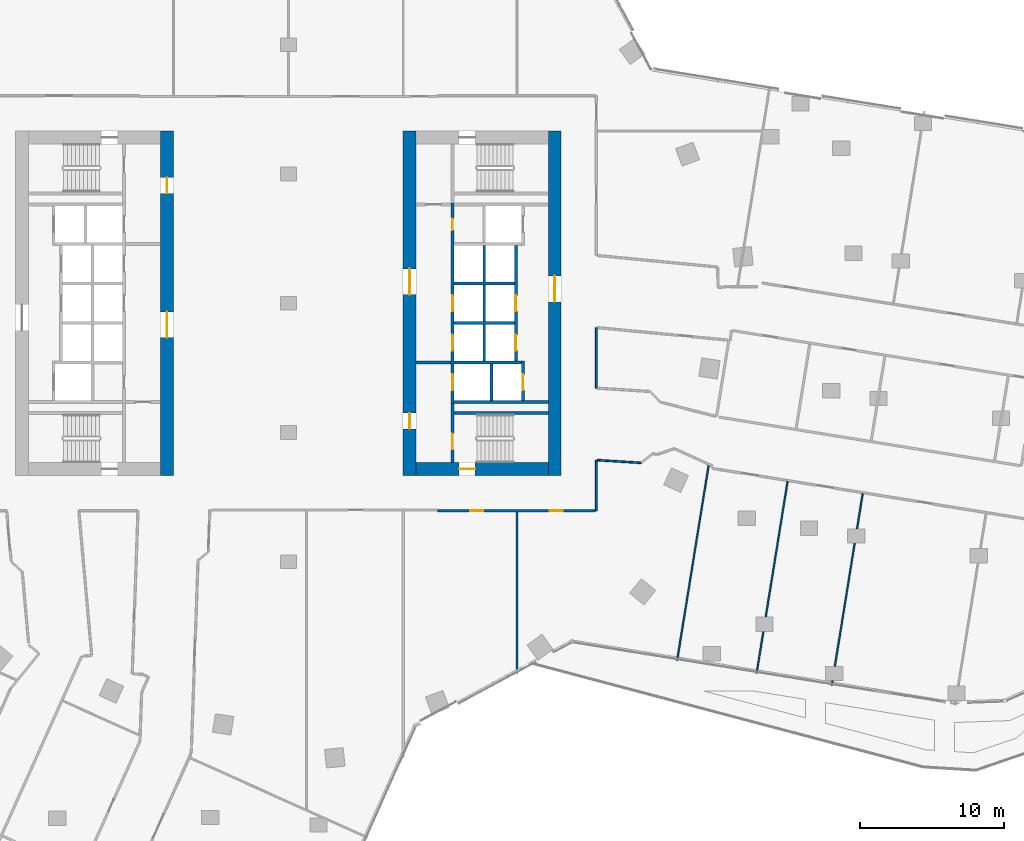
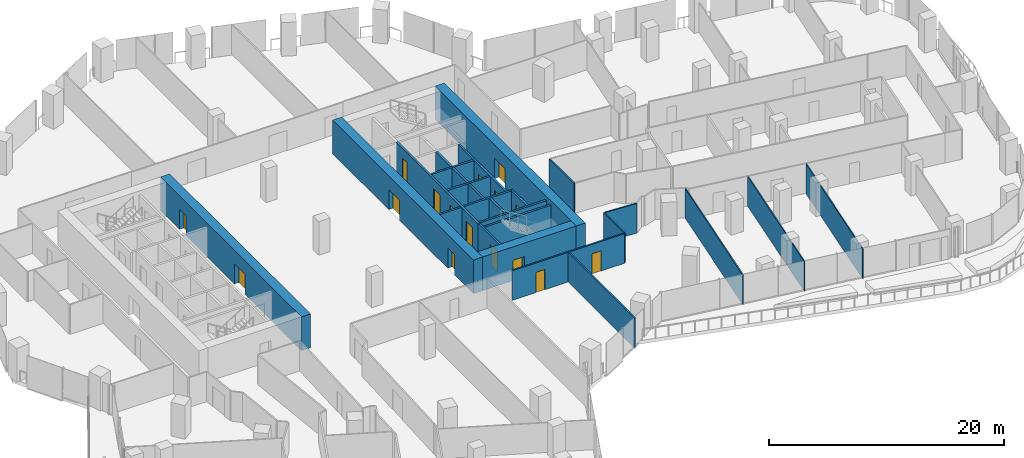
# One storey, part 24 of 32: 26 walls, 16 doors, 16 openings.
"""IFC4 building model written with IfcOpenShell, lengths in metres."""

from ifc_helpers import new_model, si_unit, direction, frame, frame_2d, origin, place, context, subcontext, project, spatial, rectangle, extrude, material, layer, layer_set, type_object, element, fill, save


model = new_model("IFC4")

# Units and contexts
model_context = context("Model", 3, precision=1e-05, world=origin(), true_north=direction((0.0, 1.0)))
body_context = subcontext(model_context, "Body", "Model", "MODEL_VIEW")
ifc_project = project(units=[si_unit("LENGTHUNIT", "METRE"), si_unit("AREAUNIT", "SQUARE_METRE"), si_unit("VOLUMEUNIT", "CUBIC_METRE"), si_unit("PLANEANGLEUNIT", "RADIAN"), si_unit("MASSUNIT", "GRAM", prefix="KILO")], contexts=[model_context])

# Site, building, storey
site_placement = place(None, origin())
site = spatial("IfcSite", under=ifc_project, at=site_placement, CompositionType="ELEMENT")
building_placement = place(site_placement, origin())
building = spatial("IfcBuilding", under=site, at=building_placement, Name="Orlundy Tower", CompositionType="ELEMENT")
storey_placement = place(building_placement, frame((0.0, 0.0, 123.699951171875)))
storey = spatial("IfcBuildingStorey", under=building, at=storey_placement, Name="L31", CompositionType="ELEMENT", Elevation=123.699951171875)

# Wall, openings, doors
ifc_material_1 = material(Name="Concrete C80/95", Category="concrete")
ifc_layer_1 = layer(ifc_material_1, 0.89990234375)
ifc_layer_set_1 = layer_set([ifc_layer_1], Name="CORE WALL 900 C80/95")
wall_type_1 = type_object("IfcWallType", Name="CORE WALL 900 C80/95", PredefinedType="SHEAR", material=ifc_layer_set_1)
wall_1_placement = place(storey_placement, frame((-8.449951171875, -12.0, 0.0), z_axis=(0.0, 0.0, 1.0), x_axis=(0.0, 1.0, 0.0)))
wall_1 = element("IfcWall", 1, at=wall_1_placement, inside=storey, type_object=wall_type_1, Name="Core wall W-E L31", PredefinedType="SHEAR", context=body_context, shape_type="SweptSolid", body=[
    extrude(rectangle(XDim=24.0, YDim=0.89990234375, at=frame_2d((12.0, 0.0))), origin(), (0.0, 0.0, 1.0), 3.5),
])
opening_1_placement = place(wall_1_placement, frame((9.60009765625, 0.0, 0.0)))
opening_1 = element("IfcOpeningElement", 2, at=opening_1_placement, cuts=wall_1, Name="Opening 24009", PredefinedType="OPENING", context=body_context, shape_type="SweptSolid", body=[
    extrude(rectangle(XDim=1.800048828125, YDim=2.10009765625, at=frame_2d((0.89990234375, 1.050048828125))), frame((0.0, 0.4599609375, 0.0), z_axis=(0.0, -1.0, 0.0), x_axis=(1.0, 0.0, 0.0)), (0.0, 0.0, 1.0), 0.919921875),
])
opening_2_placement = place(wall_1_placement, frame((19.64990234375, 0.0, 0.0)))
opening_2 = element("IfcOpeningElement", 3, at=opening_2_placement, cuts=wall_1, Name="Opening 24011", PredefinedType="OPENING", context=body_context, shape_type="SweptSolid", body=[
    extrude(rectangle(XDim=1.10009765625, YDim=2.10009765625, at=frame_2d((0.550048828125, 1.050048828125))), frame((0.0, 0.4599609375, 0.0), z_axis=(0.0, -1.0, 0.0), x_axis=(1.0, 0.0, 0.0)), (0.0, 0.0, 1.0), 0.919921875),
])
ifc_material_2 = material(Name="Steel door set", Category="steel")
door_type_1 = type_object("IfcDoorType", Name="Fire-fighting Lobby Door 1100x2100", OperationType="SINGLE_SWING_LEFT", PredefinedType="DOOR", material=ifc_material_2)
door_1_placement = place(opening_2_placement, origin())
door_1 = element("IfcDoor", 4, at=door_1_placement, inside=storey, type_object=door_type_1, Name="Fire-fighting lobby door 24011", OperationType="SINGLE_SWING_RIGHT", OverallHeight=2.10009765625, OverallWidth=1.10009765625, PredefinedType="DOOR", context=body_context, shape_type="SweptSolid", body=[
    extrude(rectangle(XDim=1.10009765625, YDim=2.10009765625, at=frame_2d((0.550048828125, 1.050048828125))), frame((0.0, 0.02490234375, 0.0), z_axis=(0.0, -1.0, 0.0), x_axis=(1.0, 0.0, 0.0)), (0.0, 0.0, 1.0), 0.050048828125),
])
fill(opening_2, door_1)
ifc_material_3 = material(Name="Timber door set", Category="wood")
door_type_2 = type_object("IfcDoorType", Name="Lobby Door 1800x2100", OperationType="DOUBLE_DOOR_DOUBLE_SWING", PredefinedType="DOOR", material=ifc_material_3)
door_2_placement = place(opening_1_placement, origin())
door_2 = element("IfcDoor", 5, at=door_2_placement, inside=storey, type_object=door_type_2, Name="Lift lobby door 24009", OperationType="SINGLE_SWING_LEFT", OverallHeight=2.10009765625, OverallWidth=1.800048828125, PredefinedType="DOOR", context=body_context, shape_type="SweptSolid", body=[
    extrude(rectangle(XDim=1.800048828125, YDim=2.10009765625, at=frame_2d((0.89990234375, 1.050048828125))), frame((0.0, 0.02490234375, 0.0), z_axis=(0.0, -1.0, 0.0), x_axis=(1.0, 0.0, 0.0)), (0.0, 0.0, 1.0), 0.050048828125),
])
fill(opening_1, door_2)

# Wall, opening, door
wall_2_placement = place(storey_placement, frame((8.89990234375, -11.550048828125, 0.0), z_axis=(0.0, 0.0, 1.0), x_axis=(1.0, 0.0, 0.0)))
wall_2 = element("IfcWall", 6, at=wall_2_placement, inside=storey, type_object=wall_type_1, Name="Core wall E-S L31", PredefinedType="SHEAR", context=body_context, shape_type="SweptSolid", body=[
    extrude(rectangle(XDim=9.2001953125, YDim=0.89990234375, at=frame_2d((4.60009765625, 0.0))), origin(), (0.0, 0.0, 1.0), 3.5),
])
opening_3_placement = place(wall_2_placement, frame((3.0, 0.0, 0.0)))
opening_3 = element("IfcOpeningElement", 7, at=opening_3_placement, cuts=wall_2, Name="Opening 24061", PredefinedType="OPENING", context=body_context, shape_type="SweptSolid", body=[
    extrude(rectangle(XDim=1.10009765625, YDim=2.10009765625, at=frame_2d((0.550048828125, 1.050048828125))), frame((0.0, 0.4599609375, 0.0), z_axis=(0.0, -1.0, 0.0), x_axis=(1.0, 0.0, 0.0)), (0.0, 0.0, 1.0), 0.919921875),
])
ifc_material_4 = material(Name="Steel door set", Category="steel")
door_type_3 = type_object("IfcDoorType", Name="Stair Door 1100x2100", OperationType="SINGLE_SWING_LEFT", PredefinedType="DOOR", material=ifc_material_4)
door_3_placement = place(opening_3_placement, origin())
door_3 = element("IfcDoor", 8, at=door_3_placement, inside=storey, type_object=door_type_3, Name="Stair door 24061", OperationType="SINGLE_SWING_LEFT", OverallHeight=2.10009765625, OverallWidth=1.10009765625, PredefinedType="DOOR", context=body_context, shape_type="SweptSolid", body=[
    extrude(rectangle(XDim=1.10009765625, YDim=2.10009765625, at=frame_2d((0.550048828125, 1.050048828125))), frame((0.0, 0.02490234375, 0.0), z_axis=(0.0, -1.0, 0.0), x_axis=(1.0, 0.0, 0.0)), (0.0, 0.0, 1.0), 0.050048828125),
])
fill(opening_3, door_3)

# Wall, openings, doors
wall_3_placement = place(storey_placement, frame((8.449951171875, -12.0, 0.0), z_axis=(0.0, 0.0, 1.0), x_axis=(0.0, 1.0, 0.0)))
wall_3 = element("IfcWall", 9, at=wall_3_placement, inside=storey, type_object=wall_type_1, Name="Core wall E-W L31", PredefinedType="SHEAR", context=body_context, shape_type="SweptSolid", body=[
    extrude(rectangle(XDim=24.0, YDim=0.89990234375, at=frame_2d((12.0, 0.0))), origin(), (0.0, 0.0, 1.0), 3.5),
])
opening_4_placement = place(wall_3_placement, frame((12.60009765625, 0.0, 0.0)))
opening_4 = element("IfcOpeningElement", 10, at=opening_4_placement, cuts=wall_3, Name="Opening 24058", PredefinedType="OPENING", context=body_context, shape_type="SweptSolid", body=[
    extrude(rectangle(XDim=1.800048828125, YDim=2.10009765625, at=frame_2d((0.89990234375, 1.050048828125))), frame((0.0, 0.4599609375, 0.0), z_axis=(0.0, -1.0, 0.0), x_axis=(1.0, 0.0, 0.0)), (0.0, 0.0, 1.0), 0.919921875),
])
opening_5_placement = place(wall_3_placement, frame((3.25, 0.0, 0.0)))
opening_5 = element("IfcOpeningElement", 11, at=opening_5_placement, cuts=wall_3, Name="Opening 24060", PredefinedType="OPENING", context=body_context, shape_type="SweptSolid", body=[
    extrude(rectangle(XDim=1.10009765625, YDim=2.10009765625, at=frame_2d((0.550048828125, 1.050048828125))), frame((0.0, 0.4599609375, 0.0), z_axis=(0.0, -1.0, 0.0), x_axis=(1.0, 0.0, 0.0)), (0.0, 0.0, 1.0), 0.919921875),
])
door_4_placement = place(opening_5_placement, origin())
door_4 = element("IfcDoor", 12, at=door_4_placement, inside=storey, type_object=door_type_1, Name="Fire-fighting lobby door 24060", OperationType="SINGLE_SWING_LEFT", OverallHeight=2.10009765625, OverallWidth=1.10009765625, PredefinedType="DOOR", context=body_context, shape_type="SweptSolid", body=[
    extrude(rectangle(XDim=1.10009765625, YDim=2.10009765625, at=frame_2d((0.550048828125, 1.050048828125))), frame((0.0, 0.02490234375, 0.0), z_axis=(0.0, -1.0, 0.0), x_axis=(1.0, 0.0, 0.0)), (0.0, 0.0, 1.0), 0.050048828125),
])
fill(opening_5, door_4)
door_5_placement = place(opening_4_placement, origin())
door_5 = element("IfcDoor", 13, at=door_5_placement, inside=storey, type_object=door_type_2, Name="Lift lobby door 24058", OperationType="SINGLE_SWING_RIGHT", OverallHeight=2.10009765625, OverallWidth=1.800048828125, PredefinedType="DOOR", context=body_context, shape_type="SweptSolid", body=[
    extrude(rectangle(XDim=1.800048828125, YDim=2.10009765625, at=frame_2d((0.89990234375, 1.050048828125))), frame((0.0, 0.02490234375, 0.0), z_axis=(0.0, -1.0, 0.0), x_axis=(1.0, 0.0, 0.0)), (0.0, 0.0, 1.0), 0.050048828125),
])
fill(opening_4, door_5)

# Wall, opening, door
wall_4_placement = place(storey_placement, frame((18.550048828125, -12.0, 0.0), z_axis=(0.0, 0.0, 1.0), x_axis=(0.0, 1.0, 0.0)))
wall_4 = element("IfcWall", 14, at=wall_4_placement, inside=storey, type_object=wall_type_1, Name="Core wall E-E L31", PredefinedType="SHEAR", context=body_context, shape_type="SweptSolid", body=[
    extrude(rectangle(XDim=24.0, YDim=0.89990234375, at=frame_2d((12.0, 0.0))), origin(), (0.0, 0.0, 1.0), 3.5),
])
opening_6_placement = place(wall_4_placement, frame((12.10009765625, 0.0, 0.0)))
opening_6 = element("IfcOpeningElement", 15, at=opening_6_placement, cuts=wall_4, Name="Opening 24059", PredefinedType="OPENING", context=body_context, shape_type="SweptSolid", body=[
    extrude(rectangle(XDim=1.800048828125, YDim=2.10009765625, at=frame_2d((0.89990234375, 1.050048828125))), frame((0.0, 0.4599609375, 0.0), z_axis=(0.0, -1.0, 0.0), x_axis=(1.0, 0.0, 0.0)), (0.0, 0.0, 1.0), 0.919921875),
])
door_6_placement = place(opening_6_placement, origin())
door_6 = element("IfcDoor", 16, at=door_6_placement, inside=storey, type_object=door_type_2, Name="Lift lobby door 24059", OperationType="SINGLE_SWING_RIGHT", OverallHeight=2.10009765625, OverallWidth=1.800048828125, PredefinedType="DOOR", context=body_context, shape_type="SweptSolid", body=[
    extrude(rectangle(XDim=1.800048828125, YDim=2.10009765625, at=frame_2d((0.89990234375, 1.050048828125))), frame((0.0, 0.02490234375, 0.0), z_axis=(0.0, -1.0, 0.0), x_axis=(1.0, 0.0, 0.0)), (0.0, 0.0, 1.0), 0.050048828125),
])
fill(opening_6, door_6)

# Walls
ifc_material_5 = material(Name="Gypsum board partition")
ifc_layer_2 = layer(ifc_material_5, 0.10009765625)
ifc_layer_set_2 = layer_set([ifc_layer_2], Name="Floor partition 100")
wall_type_2 = type_object("IfcWallType", Name="Floor partition 100", PredefinedType="PARTITIONING", material=ifc_layer_set_2)
wall_5_placement = place(storey_placement, frame((37.842041015625, -26.618896484375, 0.0), z_axis=(0.0, 0.0, 1.0), x_axis=(0.159340172949, 0.98722373821, 0.0)))
element("IfcWall", 17, at=wall_5_placement, inside=storey, type_object=wall_type_2, Name="wall-int-L31-071", PredefinedType="PARTITIONING", context=body_context, shape_type="SweptSolid", body=[
    extrude(rectangle(XDim=13.536865234375, YDim=0.10009765625, at=frame_2d((6.7685546875, 0.0))), origin(), (0.0, 0.0, 1.0), 3.080078125),
])
wall_6_placement = place(storey_placement, frame((32.610107421875, -25.77392578125, 0.0), z_axis=(0.0, 0.0, 1.0), x_axis=(0.159351521754, 0.98722190642, 0.0)))
element("IfcWall", 18, at=wall_6_placement, inside=storey, type_object=wall_type_2, Name="wall-int-L31-074", PredefinedType="PARTITIONING", context=body_context, shape_type="SweptSolid", body=[
    extrude(rectangle(XDim=13.535888671875, YDim=0.10009765625, at=frame_2d((6.76806640625, 0.0))), origin(), (0.0, 0.0, 1.0), 3.080078125),
])
wall_7_placement = place(storey_placement, frame((27.074951171875, -24.881103515625, 0.0), z_axis=(0.0, 0.0, 1.0), x_axis=(0.159301605387, 0.98722996233, 0.0)))
element("IfcWall", 19, at=wall_7_placement, inside=storey, type_object=wall_type_2, Name="wall-int-L31-076", PredefinedType="PARTITIONING", context=body_context, shape_type="SweptSolid", body=[
    extrude(rectangle(XDim=13.760986328125, YDim=0.10009765625, at=frame_2d((6.88037109375, 0.0))), origin(), (0.0, 0.0, 1.0), 3.080078125),
])
ifc_material_6 = material(Name="Gypsum board partition, double layer")
ifc_layer_3 = layer(ifc_material_6, 0.125)
ifc_layer_set_3 = layer_set([ifc_layer_3], Name="Floor partition 125")
wall_type_3 = type_object("IfcWallType", Name="Floor partition 125", PredefinedType="PARTITIONING", material=ifc_layer_set_3)
wall_8_placement = place(storey_placement, frame((21.511962890625, -10.927001953125, 0.0), z_axis=(0.0, 0.0, 1.0), x_axis=(0.998077910875, -0.061971637243, 0.0)))
element("IfcWall", 20, at=wall_8_placement, inside=storey, type_object=wall_type_3, Name="wall-int-L31-031", PredefinedType="PARTITIONING", context=body_context, shape_type="SweptSolid", body=[
    extrude(rectangle(XDim=3.06494140625, YDim=0.125, at=frame_2d((1.532470703125, 0.0))), origin(), (0.0, 0.0, 1.0), 3.080078125),
])
wall_9_placement = place(storey_placement, frame((21.449951171875, -14.450927734375, 0.0), z_axis=(0.0, 0.0, 1.0), x_axis=(0.0, 1.0, 0.0)))
element("IfcWall", 21, at=wall_9_placement, inside=storey, type_object=wall_type_3, Name="wall-int-L31-087", PredefinedType="PARTITIONING", context=body_context, shape_type="SweptSolid", body=[
    extrude(rectangle(XDim=3.52783203125, YDim=0.125, at=frame_2d((1.763916015625, 0.0))), origin(), (0.0, 0.0, 1.0), 3.080078125),
])
wall_10_placement = place(storey_placement, frame((21.449951171875, -5.912109375, 0.0), z_axis=(0.0, 0.0, 1.0), x_axis=(0.0, 1.0, 0.0)))
element("IfcWall", 22, at=wall_10_placement, inside=storey, type_object=wall_type_3, Name="wall-int-L31-088", PredefinedType="PARTITIONING", context=body_context, shape_type="SweptSolid", body=[
    extrude(rectangle(XDim=4.22119140625, YDim=0.125, at=frame_2d((2.110595703125, 0.0))), origin(), (0.0, 0.0, 1.0), 3.080078125),
])

# Wall, openings, doors
ifc_material_7 = material(Name="Blockwork shaft wall", Category="masonry")
ifc_layer_4 = layer(ifc_material_7, 0.14990234375)
ifc_layer_set_4 = layer_set([ifc_layer_4], Name="Floor shaft wall 150")
wall_type_4 = type_object("IfcWallType", Name="Floor shaft wall 150", PredefinedType="PARTITIONING", material=ifc_layer_set_4)
wall_11_placement = place(storey_placement, frame((21.386962890625, -14.450927734375, 0.0), z_axis=(0.0, 0.0, 1.0), x_axis=(-1.0, 0.0, 0.0)))
wall_11 = element("IfcWall", 23, at=wall_11_placement, inside=storey, type_object=wall_type_4, Name="wall-int-L31-038", PredefinedType="PARTITIONING", context=body_context, shape_type="SweptSolid", body=[
    extrude(rectangle(XDim=10.995849609375, YDim=0.14990234375, at=frame_2d((5.498046875, 0.0))), origin(), (0.0, 0.0, 1.0), 3.080078125),
])
opening_7_placement = place(wall_11_placement, frame((7.81640625, 0.0, 0.0)))
opening_7 = element("IfcOpeningElement", 24, at=opening_7_placement, cuts=wall_11, Name="Opening 24126", PredefinedType="OPENING", context=body_context, shape_type="SweptSolid", body=[
    extrude(rectangle(XDim=0.89990234375, YDim=2.10009765625, at=frame_2d((0.449951171875, 1.050048828125))), frame((0.0, 0.0849609375, 0.0), z_axis=(0.0, -1.0, 0.0), x_axis=(1.0, 0.0, 0.0)), (0.0, 0.0, 1.0), 0.169921875),
])
opening_8_placement = place(wall_11_placement, frame((2.28759765625, 0.0, 0.0)))
opening_8 = element("IfcOpeningElement", 25, at=opening_8_placement, cuts=wall_11, Name="Opening 24127", PredefinedType="OPENING", context=body_context, shape_type="SweptSolid", body=[
    extrude(rectangle(XDim=0.89990234375, YDim=2.10009765625, at=frame_2d((0.449951171875, 1.050048828125))), frame((0.0, 0.0849609375, 0.0), z_axis=(0.0, -1.0, 0.0), x_axis=(1.0, 0.0, 0.0)), (0.0, 0.0, 1.0), 0.169921875),
])
ifc_material_8 = material(Name="Timber door leaf", Category="wood")
door_type_4 = type_object("IfcDoorType", Name="Floor door single 900 FD60", OperationType="NOTDEFINED", PredefinedType="DOOR", material=ifc_material_8)
door_7_placement = place(opening_7_placement, origin())
door_7 = element("IfcDoor", 26, at=door_7_placement, inside=storey, type_object=door_type_4, Name="Door 24126", OperationType="SINGLE_SWING_RIGHT", OverallHeight=2.10009765625, OverallWidth=0.89990234375, PredefinedType="DOOR", context=body_context, shape_type="SweptSolid", body=[
    extrude(rectangle(XDim=0.89990234375, YDim=2.10009765625, at=frame_2d((0.449951171875, 1.050048828125))), frame((0.0, 0.02490234375, 0.0), z_axis=(0.0, -1.0, 0.0), x_axis=(1.0, 0.0, 0.0)), (0.0, 0.0, 1.0), 0.050048828125),
])
fill(opening_7, door_7)
door_8_placement = place(opening_8_placement, origin())
door_8 = element("IfcDoor", 27, at=door_8_placement, inside=storey, type_object=door_type_4, Name="Door 24127", OperationType="SINGLE_SWING_LEFT", OverallHeight=2.10009765625, OverallWidth=0.89990234375, PredefinedType="DOOR", context=body_context, shape_type="SweptSolid", body=[
    extrude(rectangle(XDim=0.89990234375, YDim=2.10009765625, at=frame_2d((0.449951171875, 1.050048828125))), frame((0.0, 0.02490234375, 0.0), z_axis=(0.0, -1.0, 0.0), x_axis=(1.0, 0.0, 0.0)), (0.0, 0.0, 1.0), 0.050048828125),
])
fill(opening_8, door_8)

# Wall
wall_12_placement = place(storey_placement, frame((15.9208984375, -25.781982421875, 0.0), z_axis=(0.0, 0.0, 1.0), x_axis=(0.0, 1.0, 0.0)))
element("IfcWall", 28, at=wall_12_placement, inside=storey, type_object=wall_type_4, Name="wall-int-L31-090", PredefinedType="PARTITIONING", context=body_context, shape_type="SweptSolid", body=[
    extrude(rectangle(XDim=11.256103515625, YDim=0.14990234375, at=frame_2d((5.6279296875, 0.0))), origin(), (0.0, 0.0, 1.0), 3.080078125),
])

# Wall, opening, door
ifc_material_9 = material(Name="Concrete C40/50", Category="concrete")
ifc_layer_5 = layer(ifc_material_9, 0.199951171875)
ifc_layer_set_5 = layer_set([ifc_layer_5], Name="Load-bearing Shaft Wall 200")
wall_type_5 = type_object("IfcWallType", Name="Load-bearing Shaft Wall 200", PredefinedType="SOLIDWALL", material=ifc_layer_set_5)
wall_13_placement = place(storey_placement, frame((11.43994140625, -6.97509765625, 0.0), z_axis=(0.0, 0.0, 1.0), x_axis=(0.0, -1.0, 0.0)))
wall_13 = element("IfcWall", 29, at=wall_13_placement, inside=storey, type_object=wall_type_5, Name="Shaft wall E24-stair-end-n", PredefinedType="SOLIDWALL", context=body_context, shape_type="SweptSolid", body=[
    extrude(rectangle(XDim=4.125, YDim=0.199951171875, at=frame_2d((2.0625, 0.0))), origin(), (0.0, 0.0, 1.0), 3.090087890625),
])
opening_9_placement = place(wall_13_placement, frame((2.10009765625, 0.0, 0.0)))
opening_9 = element("IfcOpeningElement", 30, at=opening_9_placement, cuts=wall_13, Name="Opening 24063", PredefinedType="OPENING", context=body_context, shape_type="SweptSolid", body=[
    extrude(rectangle(XDim=1.10009765625, YDim=2.10009765625, at=frame_2d((0.550048828125, 1.050048828125))), frame((0.0, 0.110107421875, 0.0), z_axis=(0.0, -1.0, 0.0), x_axis=(1.0, 0.0, 0.0)), (0.0, 0.0, 1.0), 0.22021484375),
])
door_9_placement = place(opening_9_placement, origin())
door_9 = element("IfcDoor", 31, at=door_9_placement, inside=storey, type_object=door_type_1, Name="Fire-fighting lobby to stair door 24063", OperationType="SINGLE_SWING_RIGHT", OverallHeight=2.10009765625, OverallWidth=1.10009765625, PredefinedType="DOOR", context=body_context, shape_type="SweptSolid", body=[
    extrude(rectangle(XDim=1.10009765625, YDim=2.10009765625, at=frame_2d((0.550048828125, 1.050048828125))), frame((0.0, 0.02490234375, 0.0), z_axis=(0.0, -1.0, 0.0), x_axis=(1.0, 0.0, 0.0)), (0.0, 0.0, 1.0), 0.050048828125),
])
fill(opening_9, door_9)

# Walls
wall_14_placement = place(storey_placement, frame((11.5400390625, -7.64990234375, 0.0), z_axis=(0.0, 0.0, 1.0), x_axis=(1.0, 0.0, 0.0)))
element("IfcWall", 32, at=wall_14_placement, inside=storey, type_object=wall_type_5, Name="Shaft wall E24-stair-side-n", PredefinedType="SOLIDWALL", context=body_context, shape_type="SweptSolid", body=[
    extrude(rectangle(XDim=6.56005859375, YDim=0.199951171875, at=frame_2d((3.280029296875, 0.0))), origin(), (0.0, 0.0, 1.0), 3.090087890625),
])
ifc_material_10 = material(Name="Gypsum board partition on steel studs", Category="steel")
ifc_layer_6 = layer(ifc_material_10, 0.199951171875)
ifc_layer_set_6 = layer_set([ifc_layer_6], Name="Partition 200")
wall_type_6 = type_object("IfcWallType", Name="Partition 200", PredefinedType="PARTITIONING", material=ifc_layer_set_6)
wall_15_placement = place(storey_placement, frame((8.89990234375, -4.125, 0.0), z_axis=(0.0, 0.0, 1.0), x_axis=(1.0, 0.0, 0.0)))
element("IfcWall", 33, at=wall_15_placement, inside=storey, type_object=wall_type_6, Name="Partition wall E24-lobby-n", PredefinedType="PARTITIONING", context=body_context, shape_type="SweptSolid", body=[
    extrude(rectangle(XDim=2.440185546875, YDim=0.199951171875, at=frame_2d((1.22021484375, 0.0))), origin(), (0.0, 0.0, 1.0), 3.090087890625),
])
ifc_material_11 = material(Name="Fire-rated blockwork shaft wall", Category="masonry")
ifc_layer_7 = layer(ifc_material_11, 0.199951171875)
ifc_layer_set_7 = layer_set([ifc_layer_7], Name="Shaft Wall 200")
wall_type_7 = type_object("IfcWallType", Name="Shaft Wall 200", PredefinedType="SOLIDWALL", material=ifc_layer_set_7)
wall_16_placement = place(storey_placement, frame((11.5400390625, -6.875, 0.0), z_axis=(0.0, 0.0, 1.0), x_axis=(1.0, 0.0, 0.0)))
element("IfcWall", 34, at=wall_16_placement, inside=storey, type_object=wall_type_7, Name="Shaft wall E24-zone-n", PredefinedType="SOLIDWALL", context=body_context, shape_type="SweptSolid", body=[
    extrude(rectangle(XDim=6.56005859375, YDim=0.199951171875, at=frame_2d((3.280029296875, 0.0))), origin(), (0.0, 0.0, 1.0), 3.090087890625),
])
for number, where, z_axis, x_axis, name in (
    (35, (11.5400390625, 1.375, 0.0), (0.0, 0.0, 1.0), (1.0, 0.0, 0.0), "Shaft wall E24-cross-1.375"),
    (36, (11.5400390625, -1.375, 0.0), (0.0, 0.0, 1.0), (1.0, 0.0, 0.0), "Shaft wall E24-cross+1.375"),
):
    element("IfcWall", number, at=place(storey_placement, frame(where, z_axis=z_axis, x_axis=x_axis)), inside=storey, type_object=wall_type_7, Name=name, PredefinedType="SOLIDWALL", context=body_context, shape_type="SweptSolid", body=[
        extrude(rectangle(XDim=4.199951171875, YDim=0.199951171875, at=frame_2d((2.10009765625, 0.0))), origin(), (0.0, 0.0, 1.0), 3.090087890625),
    ])
wall_17_placement = place(storey_placement, frame((11.5400390625, -4.125, 0.0), z_axis=(0.0, 0.0, 1.0), x_axis=(1.0, 0.0, 0.0)))
element("IfcWall", 37, at=wall_17_placement, inside=storey, type_object=wall_type_7, Name="Shaft wall E24-cross+4.125", PredefinedType="SOLIDWALL", context=body_context, shape_type="SweptSolid", body=[
    extrude(rectangle(XDim=4.699951171875, YDim=0.199951171875, at=frame_2d((2.35009765625, 0.0))), origin(), (0.0, 0.0, 1.0), 3.090087890625),
])

# Wall, openings, doors
wall_18_placement = place(storey_placement, frame((11.43994140625, 6.97509765625, 0.0), z_axis=(0.0, 0.0, 1.0), x_axis=(0.0, -1.0, 0.0)))
wall_18 = element("IfcWall", 38, at=wall_18_placement, inside=storey, type_object=wall_type_7, Name="Shaft wall E24-front-h", PredefinedType="SOLIDWALL", context=body_context, shape_type="SweptSolid", body=[
    extrude(rectangle(XDim=13.9501953125, YDim=0.199951171875, at=frame_2d((6.97509765625, 0.0))), origin(), (0.0, 0.0, 1.0), 3.090087890625),
])
opening_10_placement = place(wall_18_placement, frame((6.425048828125, 0.0, 0.0)))
opening_10 = element("IfcOpeningElement", 39, at=opening_10_placement, cuts=wall_18, Name="Opening 24051", PredefinedType="OPENING", context=body_context, shape_type="SweptSolid", body=[
    extrude(rectangle(XDim=1.10009765625, YDim=2.10009765625, at=frame_2d((0.550048828125, 1.050048828125))), frame((0.0, 0.110107421875, 0.0), z_axis=(0.0, -1.0, 0.0), x_axis=(1.0, 0.0, 0.0)), (0.0, 0.0, 1.0), 0.22021484375),
])
opening_11_placement = place(wall_18_placement, frame((9.175048828125, 0.0, 0.0)))
opening_11 = element("IfcOpeningElement", 40, at=opening_11_placement, cuts=wall_18, Name="Opening 24053", PredefinedType="OPENING", context=body_context, shape_type="SweptSolid", body=[
    extrude(rectangle(XDim=1.10009765625, YDim=2.10009765625, at=frame_2d((0.550048828125, 1.050048828125))), frame((0.0, 0.110107421875, 0.0), z_axis=(0.0, -1.0, 0.0), x_axis=(1.0, 0.0, 0.0)), (0.0, 0.0, 1.0), 0.22021484375),
])
opening_12_placement = place(wall_18_placement, frame((11.925048828125, 0.0, 0.0)))
opening_12 = element("IfcOpeningElement", 41, at=opening_12_placement, cuts=wall_18, Name="Opening 24055", PredefinedType="OPENING", context=body_context, shape_type="SweptSolid", body=[
    extrude(rectangle(XDim=1.10009765625, YDim=2.10009765625, at=frame_2d((0.550048828125, 1.050048828125))), frame((0.0, 0.110107421875, 0.0), z_axis=(0.0, -1.0, 0.0), x_axis=(1.0, 0.0, 0.0)), (0.0, 0.0, 1.0), 0.22021484375),
])
opening_13_placement = place(wall_18_placement, frame((1.074951171875, 0.0, 0.0)))
opening_13 = element("IfcOpeningElement", 42, at=opening_13_placement, cuts=wall_18, Name="Opening 24057", PredefinedType="OPENING", context=body_context, shape_type="SweptSolid", body=[
    extrude(rectangle(XDim=0.800048828125, YDim=2.10009765625, at=frame_2d((0.39990234375, 1.050048828125))), frame((0.0, 0.110107421875, 0.0), z_axis=(0.0, -1.0, 0.0), x_axis=(1.0, 0.0, 0.0)), (0.0, 0.0, 1.0), 0.22021484375),
])
ifc_material_12 = material(Name="Steel door set", Category="steel")
door_type_5 = type_object("IfcDoorType", Name="Landing Door 1100x2100", OperationType="DOUBLE_DOOR_SLIDING", PredefinedType="DOOR", material=ifc_material_12)
door_10_placement = place(opening_10_placement, origin())
door_10 = element("IfcDoor", 43, at=door_10_placement, inside=storey, type_object=door_type_5, Name="Lift landing door LP-10 24051", OperationType="DOUBLE_DOOR_SLIDING", OverallHeight=2.10009765625, OverallWidth=1.10009765625, PredefinedType="DOOR", context=body_context, shape_type="SweptSolid", body=[
    extrude(rectangle(XDim=1.10009765625, YDim=2.10009765625, at=frame_2d((0.550048828125, 1.050048828125))), frame((0.0, 0.02490234375, 0.0), z_axis=(0.0, -1.0, 0.0), x_axis=(1.0, 0.0, 0.0)), (0.0, 0.0, 1.0), 0.050048828125),
])
fill(opening_10, door_10)
door_11_placement = place(opening_11_placement, origin())
door_11 = element("IfcDoor", 44, at=door_11_placement, inside=storey, type_object=door_type_5, Name="Lift landing door LP-07 24053", OperationType="DOUBLE_DOOR_SLIDING", OverallHeight=2.10009765625, OverallWidth=1.10009765625, PredefinedType="DOOR", context=body_context, shape_type="SweptSolid", body=[
    extrude(rectangle(XDim=1.10009765625, YDim=2.10009765625, at=frame_2d((0.550048828125, 1.050048828125))), frame((0.0, 0.02490234375, 0.0), z_axis=(0.0, -1.0, 0.0), x_axis=(1.0, 0.0, 0.0)), (0.0, 0.0, 1.0), 0.050048828125),
])
fill(opening_11, door_11)
door_12_placement = place(opening_12_placement, origin())
door_12 = element("IfcDoor", 45, at=door_12_placement, inside=storey, type_object=door_type_5, Name="Lift landing door FL2 24055", OperationType="DOUBLE_DOOR_SLIDING", OverallHeight=2.10009765625, OverallWidth=1.10009765625, PredefinedType="DOOR", context=body_context, shape_type="SweptSolid", body=[
    extrude(rectangle(XDim=1.10009765625, YDim=2.10009765625, at=frame_2d((0.550048828125, 1.050048828125))), frame((0.0, 0.02490234375, 0.0), z_axis=(0.0, -1.0, 0.0), x_axis=(1.0, 0.0, 0.0)), (0.0, 0.0, 1.0), 0.050048828125),
])
fill(opening_12, door_12)
ifc_material_13 = material(Name="Timber door set", Category="wood")
door_type_6 = type_object("IfcDoorType", Name="Riser Door 800x2100", OperationType="SINGLE_SWING_LEFT", PredefinedType="DOOR", material=ifc_material_13)
door_13_placement = place(opening_13_placement, origin())
door_13 = element("IfcDoor", 46, at=door_13_placement, inside=storey, type_object=door_type_6, Name="Electrical Riser Room door 24057", OperationType="SINGLE_SWING_LEFT", OverallHeight=2.10009765625, OverallWidth=0.800048828125, PredefinedType="DOOR", context=body_context, shape_type="SweptSolid", body=[
    extrude(rectangle(XDim=0.800048828125, YDim=2.10009765625, at=frame_2d((0.39990234375, 1.050048828125))), frame((0.0, 0.02490234375, 0.0), z_axis=(0.0, -1.0, 0.0), x_axis=(1.0, 0.0, 0.0)), (0.0, 0.0, 1.0), 0.050048828125),
])
fill(opening_13, door_13)

# Walls
for number, where, z_axis, x_axis, name in (
    (47, (13.639892578125, 4.02490234375, 0.0), (0.0, 0.0, 1.0), (0.0, -1.0, 0.0), "Shaft wall E24-mid-a.1"),
    (48, (13.639892578125, 1.27490234375, 0.0), (0.0, 0.0, 1.0), (0.0, -1.0, 0.0), "Shaft wall E24-mid-a.2"),
    (49, (13.639892578125, -1.47509765625, 0.0), (0.0, 0.0, 1.0), (0.0, -1.0, 0.0), "Shaft wall E24-mid-a.3"),
    (50, (14.139892578125, -4.22509765625, 0.0), (0.0, 0.0, 1.0), (0.0, -1.0, 0.0), "Shaft wall E24-mid-b"),
):
    element("IfcWall", number, at=place(storey_placement, frame(where, z_axis=z_axis, x_axis=x_axis)), inside=storey, type_object=wall_type_7, Name=name, PredefinedType="SOLIDWALL", context=body_context, shape_type="SweptSolid", body=[
        extrude(rectangle(XDim=2.5498046875, YDim=0.199951171875, at=frame_2d((1.27490234375, 0.0))), origin(), (0.0, 0.0, 1.0), 3.090087890625),
    ])

# Wall, openings, doors
wall_19_placement = place(storey_placement, frame((15.840087890625, 4.02490234375, 0.0), z_axis=(0.0, 0.0, 1.0), x_axis=(0.0, -1.0, 0.0)))
wall_19 = element("IfcWall", 51, at=wall_19_placement, inside=storey, type_object=wall_type_7, Name="Shaft wall E24-front-o-b", PredefinedType="SOLIDWALL", context=body_context, shape_type="SweptSolid", body=[
    extrude(rectangle(XDim=8.0498046875, YDim=0.199951171875, at=frame_2d((4.02490234375, 0.0))), origin(), (0.0, 0.0, 1.0), 3.090087890625),
])
opening_14_placement = place(wall_19_placement, frame((3.47509765625, 0.0, 0.0)))
opening_14 = element("IfcOpeningElement", 52, at=opening_14_placement, cuts=wall_19, Name="Opening 24052", PredefinedType="OPENING", context=body_context, shape_type="SweptSolid", body=[
    extrude(rectangle(XDim=1.10009765625, YDim=2.10009765625, at=frame_2d((0.550048828125, 1.050048828125))), frame((0.0, 0.110107421875, 0.0), z_axis=(0.0, -1.0, 0.0), x_axis=(1.0, 0.0, 0.0)), (0.0, 0.0, 1.0), 0.22021484375),
])
opening_15_placement = place(wall_19_placement, frame((6.22509765625, 0.0, 0.0)))
opening_15 = element("IfcOpeningElement", 53, at=opening_15_placement, cuts=wall_19, Name="Opening 24054", PredefinedType="OPENING", context=body_context, shape_type="SweptSolid", body=[
    extrude(rectangle(XDim=1.10009765625, YDim=2.10009765625, at=frame_2d((0.550048828125, 1.050048828125))), frame((0.0, 0.110107421875, 0.0), z_axis=(0.0, -1.0, 0.0), x_axis=(1.0, 0.0, 0.0)), (0.0, 0.0, 1.0), 0.22021484375),
])
door_14_placement = place(opening_14_placement, origin())
door_14 = element("IfcDoor", 54, at=door_14_placement, inside=storey, type_object=door_type_5, Name="Lift landing door LP-06 24052", OperationType="DOUBLE_DOOR_SLIDING", OverallHeight=2.10009765625, OverallWidth=1.10009765625, PredefinedType="DOOR", context=body_context, shape_type="SweptSolid", body=[
    extrude(rectangle(XDim=1.10009765625, YDim=2.10009765625, at=frame_2d((0.550048828125, 1.050048828125))), frame((0.0, 0.02490234375, 0.0), z_axis=(0.0, -1.0, 0.0), x_axis=(1.0, 0.0, 0.0)), (0.0, 0.0, 1.0), 0.050048828125),
])
fill(opening_14, door_14)
door_15_placement = place(opening_15_placement, origin())
door_15 = element("IfcDoor", 55, at=door_15_placement, inside=storey, type_object=door_type_5, Name="Lift landing door LP-08 24054", OperationType="DOUBLE_DOOR_SLIDING", OverallHeight=2.10009765625, OverallWidth=1.10009765625, PredefinedType="DOOR", context=body_context, shape_type="SweptSolid", body=[
    extrude(rectangle(XDim=1.10009765625, YDim=2.10009765625, at=frame_2d((0.550048828125, 1.050048828125))), frame((0.0, 0.02490234375, 0.0), z_axis=(0.0, -1.0, 0.0), x_axis=(1.0, 0.0, 0.0)), (0.0, 0.0, 1.0), 0.050048828125),
])
fill(opening_15, door_15)

# Wall, opening, door
wall_20_placement = place(storey_placement, frame((16.340087890625, -4.02490234375, 0.0), z_axis=(0.0, 0.0, 1.0), x_axis=(0.0, -1.0, 0.0)))
wall_20 = element("IfcWall", 56, at=wall_20_placement, inside=storey, type_object=wall_type_7, Name="Shaft wall E24-front-o-c", PredefinedType="SOLIDWALL", context=body_context, shape_type="SweptSolid", body=[
    extrude(rectangle(XDim=2.75, YDim=0.199951171875, at=frame_2d((1.375, 0.0))), origin(), (0.0, 0.0, 1.0), 3.090087890625),
])
opening_16_placement = place(wall_20_placement, frame((0.925048828125, 0.0, 0.0)))
opening_16 = element("IfcOpeningElement", 57, at=opening_16_placement, cuts=wall_20, Name="Opening 24056", PredefinedType="OPENING", context=body_context, shape_type="SweptSolid", body=[
    extrude(rectangle(XDim=1.10009765625, YDim=2.10009765625, at=frame_2d((0.550048828125, 1.050048828125))), frame((0.0, 0.110107421875, 0.0), z_axis=(0.0, -1.0, 0.0), x_axis=(1.0, 0.0, 0.0)), (0.0, 0.0, 1.0), 0.22021484375),
])
door_16_placement = place(opening_16_placement, origin())
door_16 = element("IfcDoor", 58, at=door_16_placement, inside=storey, type_object=door_type_5, Name="Lift landing door LP-09 24056", OperationType="DOUBLE_DOOR_SLIDING", OverallHeight=2.10009765625, OverallWidth=1.10009765625, PredefinedType="DOOR", context=body_context, shape_type="SweptSolid", body=[
    extrude(rectangle(XDim=1.10009765625, YDim=2.10009765625, at=frame_2d((0.550048828125, 1.050048828125))), frame((0.0, 0.02490234375, 0.0), z_axis=(0.0, -1.0, 0.0), x_axis=(1.0, 0.0, 0.0)), (0.0, 0.0, 1.0), 0.050048828125),
])
fill(opening_16, door_16)

save(model, "model.ifc")
